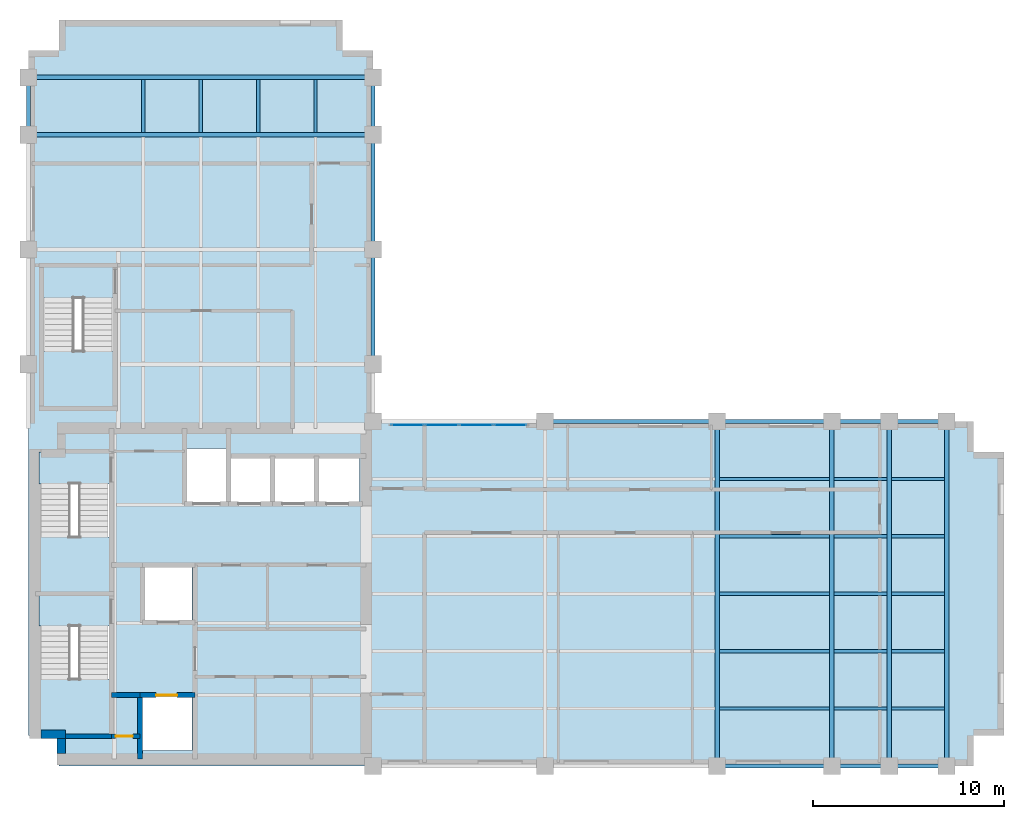
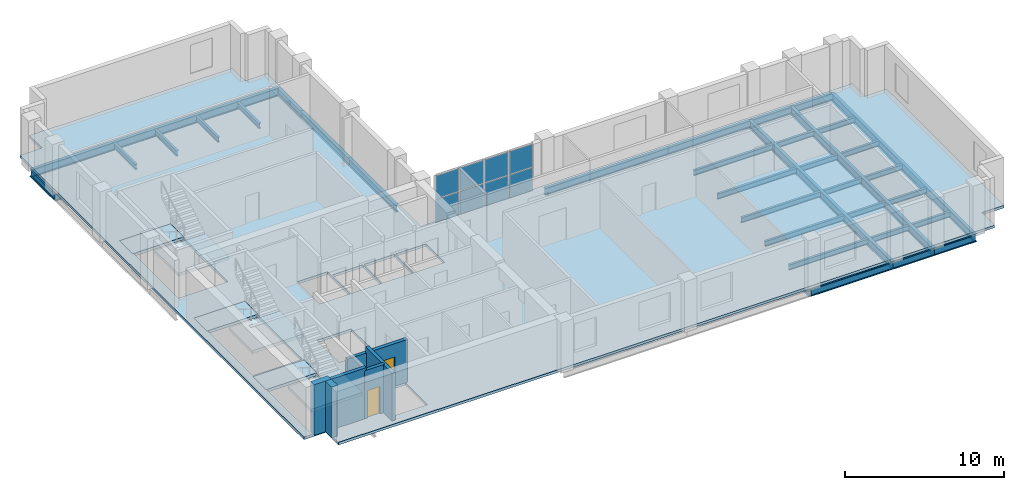
# One storey, part 3 of 7: 36 beams, 8 plates, 7 slabs, 7 walls, 2 doors, 2 openings, 4 elements without a shape of their own.
"""IFC4 building model written with IfcOpenShell, lengths in metres."""

from ifc_helpers import new_model, si_unit, direction, frame, frame_2d, origin, origin_2d, place, context, subcontext, project, spatial, polyline, rectangle, i_section, outline, extrude, material, layer, layer_set, material_profile, profile_set, type_object, element, fill, aggregate, save


model = new_model("IFC4")

# Units and contexts
model_context = context("Model", 3, precision=1e-05, world=origin(), true_north=direction((0.0, 1.0)))
body_context = subcontext(model_context, "Body", "Model", "MODEL_VIEW")
ifc_project = project(units=[si_unit("LENGTHUNIT", "METRE"), si_unit("AREAUNIT", "SQUARE_METRE"), si_unit("VOLUMEUNIT", "CUBIC_METRE"), si_unit("PLANEANGLEUNIT", "RADIAN"), si_unit("MASSUNIT", "GRAM", prefix="KILO")], contexts=[model_context])

# Site, building, storey
site_placement = place(None, origin())
site = spatial("IfcSite", under=ifc_project, at=site_placement, CompositionType="ELEMENT")
building_placement = place(site_placement, origin())
building = spatial("IfcBuilding", under=site, at=building_placement, Name="Mawjdan Bourse Tower", CompositionType="ELEMENT")
storey_placement = place(building_placement, frame((0.0, 0.0, 203.39990234375)))
storey = spatial("IfcBuildingStorey", under=building, at=storey_placement, Name="L49", CompositionType="ELEMENT", Elevation=203.39990234375)

# Beams
ifc_material_1 = material(Name="Structural Steel S355", Category="steel")
ifc_material_profile_1 = material_profile(ifc_material_1, i_section(OverallWidth=0.22998046875, OverallDepth=0.616943359375, WebThickness=0.01318359375, FlangeThickness=0.022216796875, FilletRadius=0.017822265625, at=origin_2d()), Name="W24X94")
ifc_profile_set_1 = profile_set([ifc_material_profile_1], Name="Structural Steel S355")
beam_type_1 = type_object("IfcBeamType", Name="GRD-W24X94", PredefinedType="BEAM", material=ifc_profile_set_1)
for number, where, z_axis, x_axis, name in (
    (1, (42.0, 3.0, -0.50830078125), (0.0, 1.0, 0.0), (-1.0, 0.0, 0.0), "L49 East Wing Clear-Span Girder 003"),
    (2, (48.0, 3.0, -0.50830078125), (0.0, 1.0, 0.0), (-1.0, 0.0, 0.0), "L49 East Wing Clear-Span Girder 004"),
    (3, (51.0, 3.0, -0.50830078125), (0.0, 1.0, 0.0), (-1.0, 0.0, 0.0), "L49 East Wing Clear-Span Girder 005"),
    (4, (54.0, 3.0, -0.50830078125), (0.0, 1.0, 0.0), (-1.0, 0.0, 0.0), "L49 East Wing Clear-Span Girder 006"),
    (5, (6.0, 36.0, -0.50830078125), (1.0, 0.0, 0.0), (0.0, 1.0, 0.0), "L49 North Wing Clear-Span Girder 049"),
    (6, (6.0, 39.0, -0.50830078125), (1.0, 0.0, 0.0), (0.0, 1.0, 0.0), "L49 North Wing Clear-Span Girder 050"),
):
    element("IfcBeam", number, at=place(storey_placement, frame(where, z_axis=z_axis, x_axis=x_axis)), inside=storey, type_object=beam_type_1, Name=name, PredefinedType="BEAM", context=body_context, shape_type="SweptSolid", body=[
        extrude(i_section(OverallWidth=0.22998046875, OverallDepth=0.616943359375, WebThickness=0.01318359375, FlangeThickness=0.022216796875, FilletRadius=0.017822265625, at=origin_2d()), origin(), (0.0, 0.0, 1.0), 18.0),
    ])
ifc_material_profile_2 = material_profile(ifc_material_1, i_section(OverallWidth=0.177978515625, OverallDepth=0.406982421875, WebThickness=0.0078125, FlangeThickness=0.0126953125, FilletRadius=0.01025390625, at=origin_2d()), Name="W16X40")
ifc_profile_set_2 = profile_set([ifc_material_profile_2], Name="Structural Steel S355")
beam_type_2 = type_object("IfcBeamType", Name="JST-W16X40", PredefinedType="JOIST", material=ifc_profile_set_2)
beam_1_placement = place(storey_placement, frame((42.113037109375, 6.0, -0.4033203125), z_axis=(1.0, 0.0, 0.0), x_axis=(0.0, 1.0, 0.0)))
element("IfcBeam", 7, at=beam_1_placement, inside=storey, type_object=beam_type_2, Name="L49 East Wing Composite Joist 019", PredefinedType="JOIST", context=body_context, shape_type="SweptSolid", body=[
    extrude(i_section(OverallWidth=0.177978515625, OverallDepth=0.406982421875, WebThickness=0.0078125, FlangeThickness=0.0126953125, FilletRadius=0.01025390625, at=origin_2d()), origin(), (0.0, 0.0, 1.0), 5.77392578125),
])
for number, where, z_axis, x_axis, name in (
    (8, (48.113037109375, 6.0, -0.4033203125), (1.0, 0.0, 0.0), (0.0, 1.0, 0.0), "L49 East Wing Composite Joist 020"),
    (9, (51.113037109375, 6.0, -0.4033203125), (1.0, 0.0, 0.0), (0.0, 1.0, 0.0), "L49 East Wing Composite Joist 021"),
):
    element("IfcBeam", number, at=place(storey_placement, frame(where, z_axis=z_axis, x_axis=x_axis)), inside=storey, type_object=beam_type_2, Name=name, PredefinedType="JOIST", context=body_context, shape_type="SweptSolid", body=[
        extrude(i_section(OverallWidth=0.177978515625, OverallDepth=0.406982421875, WebThickness=0.0078125, FlangeThickness=0.0126953125, FilletRadius=0.01025390625, at=origin_2d()), origin(), (0.0, 0.0, 1.0), 2.77392578125),
    ])
beam_2_placement = place(storey_placement, frame((42.113037109375, 9.0, -0.4033203125), z_axis=(1.0, 0.0, 0.0), x_axis=(0.0, 1.0, 0.0)))
element("IfcBeam", 10, at=beam_2_placement, inside=storey, type_object=beam_type_2, Name="L49 East Wing Composite Joist 024", PredefinedType="JOIST", context=body_context, shape_type="SweptSolid", body=[
    extrude(i_section(OverallWidth=0.177978515625, OverallDepth=0.406982421875, WebThickness=0.0078125, FlangeThickness=0.0126953125, FilletRadius=0.01025390625, at=origin_2d()), origin(), (0.0, 0.0, 1.0), 5.77392578125),
])
for number, where, z_axis, x_axis, name in (
    (11, (48.113037109375, 9.0, -0.4033203125), (1.0, 0.0, 0.0), (0.0, 1.0, 0.0), "L49 East Wing Composite Joist 025"),
    (12, (51.113037109375, 9.0, -0.4033203125), (1.0, 0.0, 0.0), (0.0, 1.0, 0.0), "L49 East Wing Composite Joist 026"),
):
    element("IfcBeam", number, at=place(storey_placement, frame(where, z_axis=z_axis, x_axis=x_axis)), inside=storey, type_object=beam_type_2, Name=name, PredefinedType="JOIST", context=body_context, shape_type="SweptSolid", body=[
        extrude(i_section(OverallWidth=0.177978515625, OverallDepth=0.406982421875, WebThickness=0.0078125, FlangeThickness=0.0126953125, FilletRadius=0.01025390625, at=origin_2d()), origin(), (0.0, 0.0, 1.0), 2.77392578125),
    ])
beam_3_placement = place(storey_placement, frame((42.113037109375, 12.0, -0.4033203125), z_axis=(1.0, 0.0, 0.0), x_axis=(0.0, 1.0, 0.0)))
element("IfcBeam", 13, at=beam_3_placement, inside=storey, type_object=beam_type_2, Name="L49 East Wing Composite Joist 029", PredefinedType="JOIST", context=body_context, shape_type="SweptSolid", body=[
    extrude(i_section(OverallWidth=0.177978515625, OverallDepth=0.406982421875, WebThickness=0.0078125, FlangeThickness=0.0126953125, FilletRadius=0.01025390625, at=origin_2d()), origin(), (0.0, 0.0, 1.0), 5.77392578125),
])
for number, where, z_axis, x_axis, name in (
    (14, (48.113037109375, 12.0, -0.4033203125), (1.0, 0.0, 0.0), (0.0, 1.0, 0.0), "L49 East Wing Composite Joist 030"),
    (15, (51.113037109375, 12.0, -0.4033203125), (1.0, 0.0, 0.0), (0.0, 1.0, 0.0), "L49 East Wing Composite Joist 031"),
):
    element("IfcBeam", number, at=place(storey_placement, frame(where, z_axis=z_axis, x_axis=x_axis)), inside=storey, type_object=beam_type_2, Name=name, PredefinedType="JOIST", context=body_context, shape_type="SweptSolid", body=[
        extrude(i_section(OverallWidth=0.177978515625, OverallDepth=0.406982421875, WebThickness=0.0078125, FlangeThickness=0.0126953125, FilletRadius=0.01025390625, at=origin_2d()), origin(), (0.0, 0.0, 1.0), 2.77392578125),
    ])
beam_4_placement = place(storey_placement, frame((42.113037109375, 15.0, -0.4033203125), z_axis=(1.0, 0.0, 0.0), x_axis=(0.0, 1.0, 0.0)))
element("IfcBeam", 16, at=beam_4_placement, inside=storey, type_object=beam_type_2, Name="L49 East Wing Composite Joist 034", PredefinedType="JOIST", context=body_context, shape_type="SweptSolid", body=[
    extrude(i_section(OverallWidth=0.177978515625, OverallDepth=0.406982421875, WebThickness=0.0078125, FlangeThickness=0.0126953125, FilletRadius=0.01025390625, at=origin_2d()), origin(), (0.0, 0.0, 1.0), 5.77392578125),
])
for number, where, z_axis, x_axis, name in (
    (17, (48.113037109375, 15.0, -0.4033203125), (1.0, 0.0, 0.0), (0.0, 1.0, 0.0), "L49 East Wing Composite Joist 035"),
    (18, (51.113037109375, 15.0, -0.4033203125), (1.0, 0.0, 0.0), (0.0, 1.0, 0.0), "L49 East Wing Composite Joist 036"),
):
    element("IfcBeam", number, at=place(storey_placement, frame(where, z_axis=z_axis, x_axis=x_axis)), inside=storey, type_object=beam_type_2, Name=name, PredefinedType="JOIST", context=body_context, shape_type="SweptSolid", body=[
        extrude(i_section(OverallWidth=0.177978515625, OverallDepth=0.406982421875, WebThickness=0.0078125, FlangeThickness=0.0126953125, FilletRadius=0.01025390625, at=origin_2d()), origin(), (0.0, 0.0, 1.0), 2.77392578125),
    ])
beam_5_placement = place(storey_placement, frame((42.113037109375, 18.0, -0.4033203125), z_axis=(1.0, 0.0, 0.0), x_axis=(0.0, 1.0, 0.0)))
element("IfcBeam", 19, at=beam_5_placement, inside=storey, type_object=beam_type_2, Name="L49 East Wing Composite Joist 039", PredefinedType="JOIST", context=body_context, shape_type="SweptSolid", body=[
    extrude(i_section(OverallWidth=0.177978515625, OverallDepth=0.406982421875, WebThickness=0.0078125, FlangeThickness=0.0126953125, FilletRadius=0.01025390625, at=origin_2d()), origin(), (0.0, 0.0, 1.0), 5.77392578125),
])
for number, where, z_axis, x_axis, name in (
    (20, (48.113037109375, 18.0, -0.4033203125), (1.0, 0.0, 0.0), (0.0, 1.0, 0.0), "L49 East Wing Composite Joist 040"),
    (21, (51.113037109375, 18.0, -0.4033203125), (1.0, 0.0, 0.0), (0.0, 1.0, 0.0), "L49 East Wing Composite Joist 041"),
    (22, (12.0, 36.113037109375, -0.4033203125), (0.0, 1.0, 0.0), (-1.0, 0.0, 0.0), "L49 North Wing Composite Joist 062"),
    (23, (15.0, 36.113037109375, -0.4033203125), (0.0, 1.0, 0.0), (-1.0, 0.0, 0.0), "L49 North Wing Composite Joist 066"),
    (24, (18.0, 36.113037109375, -0.4033203125), (0.0, 1.0, 0.0), (-1.0, 0.0, 0.0), "L49 North Wing Composite Joist 070"),
    (25, (21.0, 36.113037109375, -0.4033203125), (0.0, 1.0, 0.0), (-1.0, 0.0, 0.0), "L49 North Wing Composite Joist 074"),
):
    element("IfcBeam", number, at=place(storey_placement, frame(where, z_axis=z_axis, x_axis=x_axis)), inside=storey, type_object=beam_type_2, Name=name, PredefinedType="JOIST", context=body_context, shape_type="SweptSolid", body=[
        extrude(i_section(OverallWidth=0.177978515625, OverallDepth=0.406982421875, WebThickness=0.0078125, FlangeThickness=0.0126953125, FilletRadius=0.01025390625, at=origin_2d()), origin(), (0.0, 0.0, 1.0), 2.77392578125),
    ])
ifc_material_profile_3 = material_profile(ifc_material_1, i_section(OverallWidth=0.2099609375, OverallDepth=0.537109375, WebThickness=0.010986328125, FlangeThickness=0.017333984375, FilletRadius=0.013916015625, at=origin_2d()), Name="W21X68")
ifc_profile_set_3 = profile_set([ifc_material_profile_3], Name="Structural Steel S355")
beam_type_3 = type_object("IfcBeamType", Name="SPN-W21X68", PredefinedType="SPANDREL", material=ifc_profile_set_3)
beam_6_placement = place(storey_placement, frame((42.0, 3.0, -0.468505859375), z_axis=(1.0, 0.0, 0.0), x_axis=(0.0, 1.0, 0.0)))
element("IfcBeam", 26, at=beam_6_placement, inside=storey, type_object=beam_type_3, Name="L49 Perimeter Masonry-Shelf Spandrel 009", PredefinedType="SPANDREL", context=body_context, shape_type="SweptSolid", body=[
    extrude(i_section(OverallWidth=0.2099609375, OverallDepth=0.537109375, WebThickness=0.010986328125, FlangeThickness=0.017333984375, FilletRadius=0.013916015625, at=origin_2d()), origin(), (0.0, 0.0, 1.0), 6.0),
])
for number, where, z_axis, x_axis, name in (
    (27, (48.0, 3.0, -0.468505859375), (1.0, 0.0, 0.0), (0.0, 1.0, 0.0), "L49 Perimeter Masonry-Shelf Spandrel 010"),
    (28, (51.0, 3.0, -0.468505859375), (1.0, 0.0, 0.0), (0.0, 1.0, 0.0), "L49 Perimeter Masonry-Shelf Spandrel 011"),
):
    element("IfcBeam", number, at=place(storey_placement, frame(where, z_axis=z_axis, x_axis=x_axis)), inside=storey, type_object=beam_type_3, Name=name, PredefinedType="SPANDREL", context=body_context, shape_type="SweptSolid", body=[
        extrude(i_section(OverallWidth=0.2099609375, OverallDepth=0.537109375, WebThickness=0.010986328125, FlangeThickness=0.017333984375, FilletRadius=0.013916015625, at=origin_2d()), origin(), (0.0, 0.0, 1.0), 3.0),
    ])
beam_7_placement = place(storey_placement, frame((33.0, 21.0, -0.468505859375), z_axis=(1.0, 0.0, 0.0), x_axis=(0.0, 1.0, 0.0)))
element("IfcBeam", 29, at=beam_7_placement, inside=storey, type_object=beam_type_3, Name="L49 Perimeter Masonry-Shelf Spandrel 013", PredefinedType="SPANDREL", context=body_context, shape_type="SweptSolid", body=[
    extrude(i_section(OverallWidth=0.2099609375, OverallDepth=0.537109375, WebThickness=0.010986328125, FlangeThickness=0.017333984375, FilletRadius=0.013916015625, at=origin_2d()), origin(), (0.0, 0.0, 1.0), 9.0),
])
beam_8_placement = place(storey_placement, frame((42.0, 21.0, -0.468505859375), z_axis=(1.0, 0.0, 0.0), x_axis=(0.0, 1.0, 0.0)))
element("IfcBeam", 30, at=beam_8_placement, inside=storey, type_object=beam_type_3, Name="L49 Perimeter Masonry-Shelf Spandrel 014", PredefinedType="SPANDREL", context=body_context, shape_type="SweptSolid", body=[
    extrude(i_section(OverallWidth=0.2099609375, OverallDepth=0.537109375, WebThickness=0.010986328125, FlangeThickness=0.017333984375, FilletRadius=0.013916015625, at=origin_2d()), origin(), (0.0, 0.0, 1.0), 6.0),
])
for number, where, z_axis, x_axis, name in (
    (31, (48.0, 21.0, -0.468505859375), (1.0, 0.0, 0.0), (0.0, 1.0, 0.0), "L49 Perimeter Masonry-Shelf Spandrel 015"),
    (32, (51.0, 21.0, -0.468505859375), (1.0, 0.0, 0.0), (0.0, 1.0, 0.0), "L49 Perimeter Masonry-Shelf Spandrel 016"),
    (33, (6.0, 36.0, -0.468505859375), (0.0, 1.0, 0.0), (-1.0, 0.0, 0.0), "L49 North Wing Spandrel 054"),
):
    element("IfcBeam", number, at=place(storey_placement, frame(where, z_axis=z_axis, x_axis=x_axis)), inside=storey, type_object=beam_type_3, Name=name, PredefinedType="SPANDREL", context=body_context, shape_type="SweptSolid", body=[
        extrude(i_section(OverallWidth=0.2099609375, OverallDepth=0.537109375, WebThickness=0.010986328125, FlangeThickness=0.017333984375, FilletRadius=0.013916015625, at=origin_2d()), origin(), (0.0, 0.0, 1.0), 3.0),
    ])
for number, where, z_axis, x_axis, name in (
    (34, (24.0, 24.0, -0.468505859375), (0.0, 1.0, 0.0), (-1.0, 0.0, 0.0), "L49 North Wing Spandrel 056"),
    (35, (24.0, 30.0, -0.468505859375), (0.0, 1.0, 0.0), (-1.0, 0.0, 0.0), "L49 North Wing Spandrel 057"),
):
    element("IfcBeam", number, at=place(storey_placement, frame(where, z_axis=z_axis, x_axis=x_axis)), inside=storey, type_object=beam_type_3, Name=name, PredefinedType="SPANDREL", context=body_context, shape_type="SweptSolid", body=[
        extrude(i_section(OverallWidth=0.2099609375, OverallDepth=0.537109375, WebThickness=0.010986328125, FlangeThickness=0.017333984375, FilletRadius=0.013916015625, at=origin_2d()), origin(), (0.0, 0.0, 1.0), 6.0),
    ])
beam_9_placement = place(storey_placement, frame((24.0, 36.0, -0.468505859375), z_axis=(0.0, 1.0, 0.0), x_axis=(-1.0, 0.0, 0.0)))
element("IfcBeam", 36, at=beam_9_placement, inside=storey, type_object=beam_type_3, Name="L49 North Wing Spandrel 058", PredefinedType="SPANDREL", context=body_context, shape_type="SweptSolid", body=[
    extrude(i_section(OverallWidth=0.2099609375, OverallDepth=0.537109375, WebThickness=0.010986328125, FlangeThickness=0.017333984375, FilletRadius=0.013916015625, at=origin_2d()), origin(), (0.0, 0.0, 1.0), 3.0),
])

# Curtain wall, plates
ifc_material_2 = material(Name="Thermally Broken Aluminium and Solar Glass", Category="aluminium")
ifc_layer_1 = layer(ifc_material_2, 0.219970703125)
ifc_layer_set_1 = layer_set([ifc_layer_1], Name="Thermally Broken Aluminium and Solar Glass")
curtain_wall_type = type_object("IfcCurtainWallType", Name="CW-ATR", PredefinedType="USERDEFINED", material=ifc_layer_set_1)
curtain_wall_placement = place(storey_placement, origin())
curtain_wall = element("IfcCurtainWall", 37, at=curtain_wall_placement, inside=storey, type_object=curtain_wall_type, Name="L49 Northeast Atrium Court Curtain Wall", ObjectType="ATRIUM GLAZED CURTAIN WALL", PredefinedType="USERDEFINED")
ifc_material_3 = material(Name="Low-SHGC Clear Atrium Glass", Category="glass")
ifc_layer_2 = layer(ifc_material_3, 0.035888671875)
ifc_layer_set_2 = layer_set([ifc_layer_2], Name="Low-SHGC Clear Atrium Glass")
plate_type = type_object("IfcPlateType", Name="PNL-CW-ATR", PredefinedType="CURTAIN_PANEL", material=ifc_layer_set_2)
plate_1_placement = place(storey_placement, frame((31.1826171875, 20.830078125, 0.06005859375), z_axis=(0.0, 0.0, 1.0), x_axis=(-1.0, 0.0, 0.0)))
plate_1 = element("IfcPlate", 38, at=plate_1_placement, type_object=plate_type, Name="CW-ATR-L49-ATR-NE panel 1.1", PredefinedType="CURTAIN_PANEL", context=body_context, shape_type="SweptSolid", body=[
    extrude(rectangle(XDim=1.695068359375, YDim=0.035888671875, at=origin_2d()), origin(), (0.0, 0.0, 1.0), 1.760009765625),
])
plate_2_placement = place(storey_placement, frame((31.1826171875, 20.830078125, 1.8798828125), z_axis=(0.0, 0.0, 1.0), x_axis=(-1.0, 0.0, 0.0)))
plate_2 = element("IfcPlate", 39, at=plate_2_placement, type_object=plate_type, Name="CW-ATR-L49-ATR-NE panel 1.2", PredefinedType="CURTAIN_PANEL", context=body_context, shape_type="SweptSolid", body=[
    extrude(rectangle(XDim=1.695068359375, YDim=0.035888671875, at=origin_2d()), origin(), (0.0, 0.0, 1.0), 1.760009765625),
])
plate_3_placement = place(storey_placement, frame((29.39990234375, 20.830078125, 0.06005859375), z_axis=(0.0, 0.0, 1.0), x_axis=(-1.0, 0.0, 0.0)))
plate_3 = element("IfcPlate", 40, at=plate_3_placement, type_object=plate_type, Name="CW-ATR-L49-ATR-NE panel 2.1", PredefinedType="CURTAIN_PANEL", context=body_context, shape_type="SweptSolid", body=[
    extrude(rectangle(XDim=1.72998046875, YDim=0.035888671875, at=origin_2d()), origin(), (0.0, 0.0, 1.0), 1.760009765625),
])
plate_4_placement = place(storey_placement, frame((29.39990234375, 20.830078125, 1.8798828125), z_axis=(0.0, 0.0, 1.0), x_axis=(-1.0, 0.0, 0.0)))
plate_4 = element("IfcPlate", 41, at=plate_4_placement, type_object=plate_type, Name="CW-ATR-L49-ATR-NE panel 2.2", PredefinedType="CURTAIN_PANEL", context=body_context, shape_type="SweptSolid", body=[
    extrude(rectangle(XDim=1.72998046875, YDim=0.035888671875, at=origin_2d()), origin(), (0.0, 0.0, 1.0), 1.760009765625),
])
plate_5_placement = place(storey_placement, frame((27.60009765625, 20.830078125, 0.06005859375), z_axis=(0.0, 0.0, 1.0), x_axis=(-1.0, 0.0, 0.0)))
plate_5 = element("IfcPlate", 42, at=plate_5_placement, type_object=plate_type, Name="CW-ATR-L49-ATR-NE panel 3.1", PredefinedType="CURTAIN_PANEL", context=body_context, shape_type="SweptSolid", body=[
    extrude(rectangle(XDim=1.72998046875, YDim=0.035888671875, at=origin_2d()), origin(), (0.0, 0.0, 1.0), 1.760009765625),
])
plate_6_placement = place(storey_placement, frame((27.60009765625, 20.830078125, 1.8798828125), z_axis=(0.0, 0.0, 1.0), x_axis=(-1.0, 0.0, 0.0)))
plate_6 = element("IfcPlate", 43, at=plate_6_placement, type_object=plate_type, Name="CW-ATR-L49-ATR-NE panel 3.2", PredefinedType="CURTAIN_PANEL", context=body_context, shape_type="SweptSolid", body=[
    extrude(rectangle(XDim=1.72998046875, YDim=0.035888671875, at=origin_2d()), origin(), (0.0, 0.0, 1.0), 1.760009765625),
])
plate_7_placement = place(storey_placement, frame((25.8173828125, 20.830078125, 0.06005859375), z_axis=(0.0, 0.0, 1.0), x_axis=(-1.0, 0.0, 0.0)))
plate_7 = element("IfcPlate", 44, at=plate_7_placement, type_object=plate_type, Name="CW-ATR-L49-ATR-NE panel 4.1", PredefinedType="CURTAIN_PANEL", context=body_context, shape_type="SweptSolid", body=[
    extrude(rectangle(XDim=1.695068359375, YDim=0.035888671875, at=origin_2d()), origin(), (0.0, 0.0, 1.0), 1.760009765625),
])
plate_8_placement = place(storey_placement, frame((25.8173828125, 20.830078125, 1.8798828125), z_axis=(0.0, 0.0, 1.0), x_axis=(-1.0, 0.0, 0.0)))
plate_8 = element("IfcPlate", 45, at=plate_8_placement, type_object=plate_type, Name="CW-ATR-L49-ATR-NE panel 4.2", PredefinedType="CURTAIN_PANEL", context=body_context, shape_type="SweptSolid", body=[
    extrude(rectangle(XDim=1.695068359375, YDim=0.035888671875, at=origin_2d()), origin(), (0.0, 0.0, 1.0), 1.760009765625),
])
aggregate(curtain_wall, [plate_1, plate_2, plate_3, plate_4, plate_5, plate_6, plate_7, plate_8])

# Stair, slabs
ifc_material_4 = material(Name="Concrete C50/60", Category="concrete")
stair_type = type_object("IfcStairType", Name="STR-CORE-1500", PredefinedType="HALF_TURN_STAIR", material=ifc_material_4)
stair_1_placement = place(storey_placement, origin())
stair_1 = element("IfcStair", 46, at=stair_1_placement, inside=storey, type_object=stair_type, Name="L49 Exit Stair 1 (Core South-West)", PredefinedType="HALF_TURN_STAIR")
ifc_layer_3 = layer(ifc_material_4, 0.22998046875)
ifc_layer_set_3 = layer_set([ifc_layer_3], Name="Concrete C50/60")
slab_type_1 = type_object("IfcSlabType", Name="SL-LND-230", PredefinedType="LANDING", material=ifc_layer_set_3)
slab_1_placement = place(storey_placement, frame((0.0, 0.0, -0.22998046875)))
slab_1 = element("IfcSlab", 47, at=slab_1_placement, type_object=slab_type_1, Name="ST1-L49 landing 1", PredefinedType="LANDING", context=body_context, shape_type="SweptSolid", body=[
    extrude(outline(polyline([(6.5400390625, 10.31005859375), (10.260009765625, 10.31005859375), (10.260009765625, 11.969970703125), (6.5400390625, 11.969970703125), (6.5400390625, 10.31005859375)])), origin(), (0.0, 0.0, 1.0), 0.22998046875),
])
slab_2_placement = place(storey_placement, frame((0.0, 0.0, 1.72021484375)))
slab_2 = element("IfcSlab", 48, at=slab_2_placement, type_object=slab_type_1, Name="ST1-L49 landing 2", PredefinedType="LANDING", context=body_context, shape_type="SweptSolid", body=[
    extrude(outline(polyline([(6.5400390625, 4.590087890625), (10.260009765625, 4.590087890625), (10.260009765625, 7.5400390625), (6.5400390625, 7.5400390625), (6.5400390625, 4.590087890625)])), origin(), (0.0, 0.0, 1.0), 0.22998046875),
])
aggregate(stair_1, [slab_1, slab_2])

stair_2_placement = place(storey_placement, origin())
stair_2 = element("IfcStair", 49, at=stair_2_placement, inside=storey, type_object=stair_type, Name="L49 Exit Stair 2 (Core North-West)", PredefinedType="HALF_TURN_STAIR")
slab_3_placement = place(storey_placement, frame((0.0, 0.0, -0.22998046875)))
slab_3 = element("IfcSlab", 50, at=slab_3_placement, type_object=slab_type_1, Name="ST2-L49 landing 1", PredefinedType="LANDING", context=body_context, shape_type="SweptSolid", body=[
    extrude(outline(polyline([(6.5400390625, 17.75), (10.260009765625, 17.75), (10.260009765625, 19.409912109375), (6.5400390625, 19.409912109375), (6.5400390625, 17.75)])), origin(), (0.0, 0.0, 1.0), 0.22998046875),
])
slab_4_placement = place(storey_placement, frame((0.0, 0.0, 1.72021484375)))
slab_4 = element("IfcSlab", 51, at=slab_4_placement, type_object=slab_type_1, Name="ST2-L49 landing 2", PredefinedType="LANDING", context=body_context, shape_type="SweptSolid", body=[
    extrude(outline(polyline([(6.5400390625, 12.030029296875), (10.260009765625, 12.030029296875), (10.260009765625, 14.97998046875), (6.5400390625, 14.97998046875), (6.5400390625, 12.030029296875)])), origin(), (0.0, 0.0, 1.0), 0.22998046875),
])
aggregate(stair_2, [slab_3, slab_4])

stair_3_placement = place(storey_placement, origin())
stair_3 = element("IfcStair", 52, at=stair_3_placement, inside=storey, type_object=stair_type, Name="L49 Exit Stair 3 (North Wing)", PredefinedType="HALF_TURN_STAIR")
slab_5_placement = place(storey_placement, frame((0.0, 0.0, -0.22998046875)))
slab_5 = element("IfcSlab", 53, at=slab_5_placement, type_object=slab_type_1, Name="ST3-L49 landing 1", PredefinedType="LANDING", context=body_context, shape_type="SweptSolid", body=[
    extrude(outline(polyline([(6.739990234375, 27.4599609375), (10.4599609375, 27.4599609375), (10.4599609375, 29.1201171875), (6.739990234375, 29.1201171875), (6.739990234375, 27.4599609375)])), origin(), (0.0, 0.0, 1.0), 0.22998046875),
])
slab_6_placement = place(storey_placement, frame((0.0, 0.0, 1.72021484375)))
slab_6 = element("IfcSlab", 54, at=slab_6_placement, type_object=slab_type_1, Name="ST3-L49 landing 2", PredefinedType="LANDING", context=body_context, shape_type="SweptSolid", body=[
    extrude(outline(polyline([(6.739990234375, 21.739990234375), (10.4599609375, 21.739990234375), (10.4599609375, 24.68994140625), (6.739990234375, 24.68994140625), (6.739990234375, 21.739990234375)])), origin(), (0.0, 0.0, 1.0), 0.22998046875),
])
aggregate(stair_3, [slab_5, slab_6])

# Slab
ifc_layer_4 = layer(ifc_material_4, 0.199951171875)
ifc_layer_set_4 = layer_set([ifc_layer_4], Name="Concrete C50/60")
slab_type_2 = type_object("IfcSlabType", Name="SL-OFC-200", PredefinedType="FLOOR", material=ifc_layer_set_4)
slab_7_placement = place(storey_placement, frame((0.0, 0.0, -0.199951171875)))
element("IfcSlab", 55, at=slab_7_placement, inside=storey, type_object=slab_type_2, Name="L49 Structural Floor Slab 1", PredefinedType="FLOOR", context=body_context, shape_type="SweptSolid", body=[
    extrude(outline(polyline([(7.60009765625, 3.0), (55.39990234375, 3.0), (55.39990234375, 4.60009765625), (57.0, 4.60009765625), (57.0, 19.39990234375), (55.39990234375, 19.39990234375), (55.39990234375, 21.0), (24.0, 21.0), (24.0, 40.39990234375), (22.39990234375, 40.39990234375), (22.39990234375, 42.0), (7.60009765625, 42.0), (7.60009765625, 40.39990234375), (6.0, 40.39990234375), (6.0, 4.60009765625), (7.60009765625, 4.60009765625), (7.60009765625, 3.0)]), holes=[polyline([(6.5400390625, 11.969970703125), (10.260009765625, 11.969970703125), (10.260009765625, 10.31005859375), (10.199951171875, 10.31005859375), (10.199951171875, 4.64990234375), (6.60009765625, 4.64990234375), (6.60009765625, 10.31005859375), (6.5400390625, 10.31005859375), (6.5400390625, 11.969970703125)]), polyline([(6.60009765625, 12.090087890625), (6.60009765625, 17.75), (6.5400390625, 17.75), (6.5400390625, 19.409912109375), (10.260009765625, 19.409912109375), (10.260009765625, 17.75), (10.199951171875, 17.75), (10.199951171875, 12.090087890625), (6.60009765625, 12.090087890625)]), polyline([(10.4599609375, 29.1201171875), (10.4599609375, 27.4599609375), (10.39990234375, 27.4599609375), (10.39990234375, 21.800048828125), (6.800048828125, 21.800048828125), (6.800048828125, 27.4599609375), (6.739990234375, 27.4599609375), (6.739990234375, 29.1201171875), (10.4599609375, 29.1201171875)]), polyline([(14.550048828125, 3.800048828125), (11.949951171875, 3.800048828125), (11.949951171875, 6.60009765625), (14.550048828125, 6.60009765625), (14.550048828125, 3.800048828125)]), polyline([(12.050048828125, 10.60009765625), (12.050048828125, 13.39990234375), (14.550048828125, 13.39990234375), (14.550048828125, 10.60009765625), (12.050048828125, 10.60009765625)]), polyline([(16.5, 16.800048828125), (16.5, 19.14990234375), (18.699951171875, 19.14990234375), (18.699951171875, 16.800048828125), (16.5, 16.800048828125)]), polyline([(21.0, 16.800048828125), (18.800048828125, 16.800048828125), (18.800048828125, 19.14990234375), (21.0, 19.14990234375), (21.0, 16.800048828125)]), polyline([(21.10009765625, 16.800048828125), (21.10009765625, 19.14990234375), (23.300048828125, 19.14990234375), (23.300048828125, 16.800048828125), (21.10009765625, 16.800048828125)]), polyline([(14.199951171875, 16.800048828125), (14.199951171875, 19.60009765625), (16.39990234375, 19.60009765625), (16.39990234375, 16.800048828125), (14.199951171875, 16.800048828125)])]), origin(), (0.0, 0.0, 1.0), 0.199951171875),
])

# Walls
ifc_material_5 = material(Name="Concrete C60/75", Category="concrete")
ifc_layer_5 = layer(ifc_material_5, 0.449951171875)
ifc_layer_set_5 = layer_set([ifc_layer_5], Name="Concrete C60/75")
wall_type_1 = type_object("IfcWallType", Name="WL-CORE-450", PredefinedType="SHEAR", material=ifc_layer_set_5)
wall_1_placement = place(storey_placement, frame((6.64990234375, 4.64990234375, 0.0), z_axis=(0.0, 0.0, 1.0), x_axis=(1.0, 0.0, 0.0)))
element("IfcWall", 56, at=wall_1_placement, inside=storey, type_object=wall_type_1, Name="L49 Rear Core Shear Wall SW-X", PredefinedType="SHEAR", context=body_context, shape_type="SweptSolid", body=[
    extrude(rectangle(XDim=1.275146484375, YDim=0.449951171875, at=frame_2d((0.6376953125, 0.0))), origin(), (0.0, 0.0, 1.0), 3.900146484375),
])
wall_2_placement = place(storey_placement, frame((7.699951171875, 3.64990234375, 0.0), z_axis=(0.0, 0.0, 1.0), x_axis=(0.0, 1.0, 0.0)))
element("IfcWall", 57, at=wall_2_placement, inside=storey, type_object=wall_type_1, Name="L49 Rear Core Shear Wall SW-Y", PredefinedType="SHEAR", context=body_context, shape_type="SweptSolid", body=[
    extrude(rectangle(XDim=0.775146484375, YDim=0.449951171875, at=frame_2d((0.3876953125, 0.0))), origin(), (0.0, 0.0, 1.0), 3.900146484375),
])

# Wall, opening, door
ifc_layer_6 = layer(ifc_material_4, 0.25)
ifc_layer_set_6 = layer_set([ifc_layer_6], Name="Concrete C50/60")
wall_type_2 = type_object("IfcWallType", Name="WL-SHFT-250", PredefinedType="PARTITIONING", material=ifc_layer_set_6)
wall_3_placement = place(storey_placement, frame((10.330078125, 4.550048828125, 0.0), z_axis=(0.0, 0.0, 1.0), x_axis=(1.0, 0.0, 0.0)))
wall_3 = element("IfcWall", 58, at=wall_3_placement, inside=storey, type_object=wall_type_2, Name="L49 SW Riser North Wall", PredefinedType="PARTITIONING", context=body_context, shape_type="SweptSolid", body=[
    extrude(rectangle(XDim=1.489990234375, YDim=0.25, at=frame_2d((0.7451171875, 0.0))), origin(), (0.0, 0.0, 1.0), 3.690185546875),
])
opening_1_placement = place(wall_3_placement, frame((0.219970703125, 0.0, 0.0)))
opening_1 = element("IfcOpeningElement", 59, at=opening_1_placement, cuts=wall_3, Name="Opening RD-L49-03", PredefinedType="OPENING", context=body_context, shape_type="SweptSolid", body=[
    extrude(rectangle(XDim=0.89990234375, YDim=2.10009765625, at=frame_2d((0.449951171875, 1.050048828125))), frame((0.0, 0.135009765625, 0.0), z_axis=(0.0, -1.0, 0.0), x_axis=(1.0, 0.0, 0.0)), (0.0, 0.0, 1.0), 0.27001953125),
])
ifc_material_6 = material(Name="Fire-Rated Steel Access Leaf", Category="steel")
door_type_1 = type_object("IfcDoorType", Name="FD-RSR-0900", OperationType="NOTDEFINED", PredefinedType="TRAPDOOR", material=ifc_material_6)
door_1_placement = place(opening_1_placement, origin())
door_1 = element("IfcDoor", 60, at=door_1_placement, inside=storey, type_object=door_type_1, Name="L49 Electrical Riser Access Door RD-L49-03", OperationType="SINGLE_SWING_RIGHT", OverallHeight=2.10009765625, OverallWidth=0.89990234375, PredefinedType="TRAPDOOR", context=body_context, shape_type="SweptSolid", body=[
    extrude(rectangle(XDim=0.89990234375, YDim=2.10009765625, at=frame_2d((0.449951171875, 1.050048828125))), frame((0.0, 0.02490234375, 0.0), z_axis=(0.0, -1.0, 0.0), x_axis=(1.0, 0.0, 0.0)), (0.0, 0.0, 1.0), 0.050048828125),
])
fill(opening_1, door_1)

# Wall
wall_4_placement = place(storey_placement, frame((11.820068359375, 3.35009765625, 0.0), z_axis=(0.0, 0.0, 1.0), x_axis=(0.0, 1.0, 0.0)))
element("IfcWall", 61, at=wall_4_placement, inside=storey, type_object=wall_type_2, Name="L49 SW Riser & FFL01 West Wall", PredefinedType="PARTITIONING", context=body_context, shape_type="SweptSolid", body=[
    extrude(rectangle(XDim=3.349853515625, YDim=0.25, at=frame_2d((1.6748046875, 0.0))), origin(), (0.0, 0.0, 1.0), 3.690185546875),
])

# Wall, opening, door
wall_5_placement = place(storey_placement, frame((11.820068359375, 6.699951171875, 0.0), z_axis=(0.0, 0.0, 1.0), x_axis=(1.0, 0.0, 0.0)))
wall_5 = element("IfcWall", 62, at=wall_5_placement, inside=storey, type_object=wall_type_2, Name="L49 FFL-01 Front Shaft Wall", PredefinedType="PARTITIONING", context=body_context, shape_type="SweptSolid", body=[
    extrude(rectangle(XDim=2.8798828125, YDim=0.25, at=frame_2d((1.43994140625, 0.0))), origin(), (0.0, 0.0, 1.0), 3.283203125),
])
opening_2_placement = place(wall_5_placement, frame((0.85009765625, 0.0, 0.0)))
opening_2 = element("IfcOpeningElement", 63, at=opening_2_placement, cuts=wall_5, Name="Opening LD-L49-05", PredefinedType="OPENING", context=body_context, shape_type="SweptSolid", body=[
    extrude(rectangle(XDim=1.10009765625, YDim=2.25, at=frame_2d((0.550048828125, 1.125))), frame((0.0, 0.135009765625, 0.0), z_axis=(0.0, -1.0, 0.0), x_axis=(1.0, 0.0, 0.0)), (0.0, 0.0, 1.0), 0.27001953125),
])
ifc_material_7 = material(Name="Brushed Stainless Steel", Category="steel")
door_type_2 = type_object("IfcDoorType", Name="LD-FFL-1100", OperationType="DOUBLE_DOOR_SLIDING", PredefinedType="DOOR", material=ifc_material_7)
door_2_placement = place(opening_2_placement, origin())
door_2 = element("IfcDoor", 64, at=door_2_placement, inside=storey, type_object=door_type_2, Name="L49 Firefighting Lift FFL-01 Landing Door LD-L49-05", OperationType="DOUBLE_DOOR_SLIDING", OverallHeight=2.25, OverallWidth=1.10009765625, PredefinedType="DOOR", context=body_context, shape_type="SweptSolid", body=[
    extrude(rectangle(XDim=1.10009765625, YDim=2.25, at=frame_2d((0.550048828125, 1.125))), frame((0.0, 0.02490234375, 0.0), z_axis=(0.0, -1.0, 0.0), x_axis=(1.0, 0.0, 0.0)), (0.0, 0.0, 1.0), 0.050048828125),
])
fill(opening_2, door_2)

# Walls
wall_6_placement = place(storey_placement, frame((10.330078125, 6.699951171875, 0.0), z_axis=(0.0, 0.0, 1.0), x_axis=(1.0, 0.0, 0.0)))
element("IfcWall", 65, at=wall_6_placement, inside=storey, type_object=wall_type_2, Name="L49 Firefighting Lobby South Closure Wall", PredefinedType="PARTITIONING", context=body_context, shape_type="SweptSolid", body=[
    extrude(rectangle(XDim=1.489990234375, YDim=0.25, at=frame_2d((0.7451171875, 0.0))), origin(), (0.0, 0.0, 1.0), 3.283203125),
])
ifc_layer_7 = layer(ifc_material_4, 0.25)
ifc_layer_set_7 = layer_set([ifc_layer_7], Name="Concrete C50/60")
wall_type_3 = type_object("IfcWallType", Name="WL-STRW-250", PredefinedType="SHEAR", material=ifc_layer_set_7)
wall_7_placement = place(storey_placement, frame((7.699951171875, 4.550048828125, 0.0), z_axis=(0.0, 0.0, 1.0), x_axis=(1.0, 0.0, 0.0)))
element("IfcWall", 66, at=wall_7_placement, inside=storey, type_object=wall_type_3, Name="L49 Stairwell ST1 South Shaft Wall", PredefinedType="SHEAR", context=body_context, shape_type="SweptSolid", body=[
    extrude(rectangle(XDim=2.755126953125, YDim=0.25, at=frame_2d((1.37744140625, 0.0))), origin(), (0.0, 0.0, 1.0), 3.900146484375),
])

save(model, "model.ifc")
